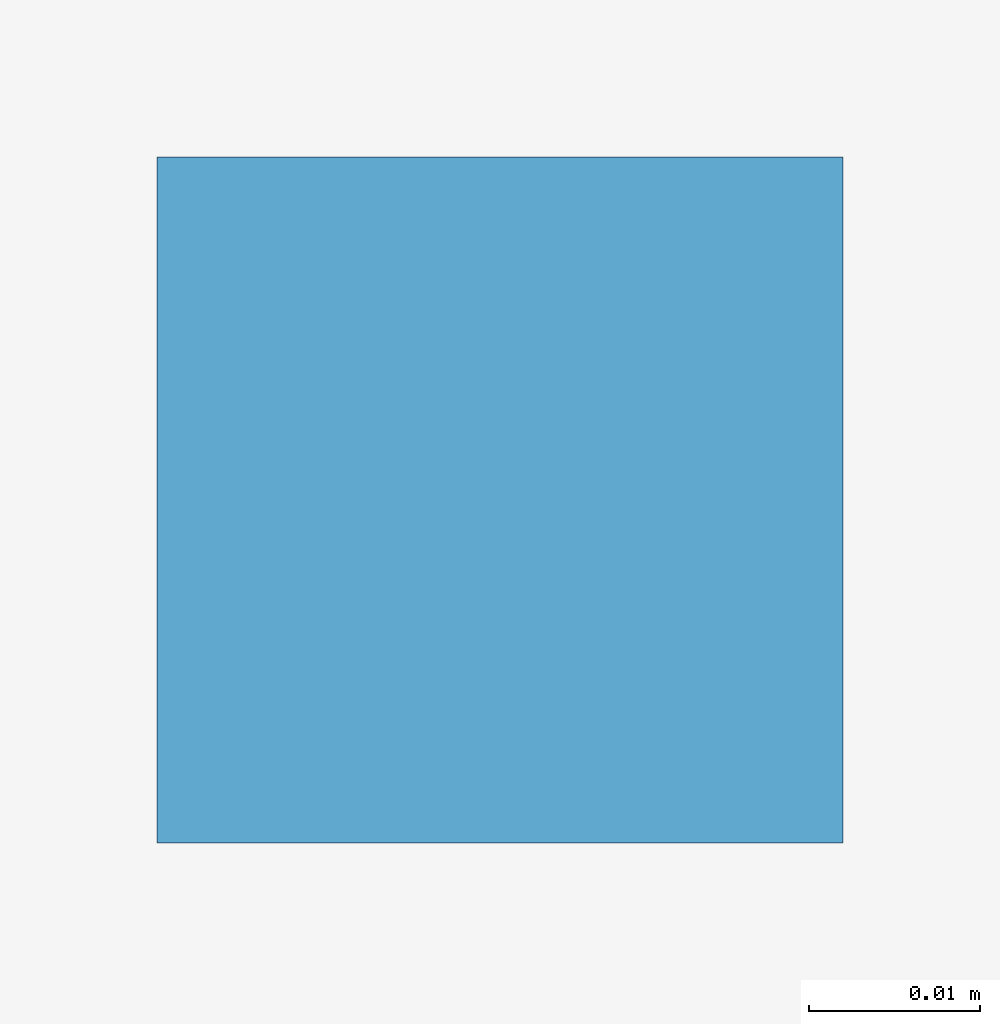
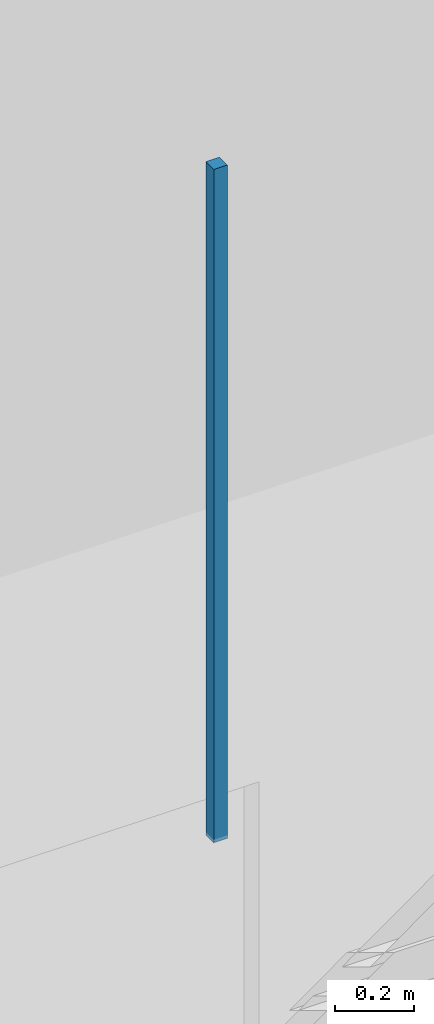
# One storey, part 130 of 167: 1 discrete accessory.
"""IFC4 building model written with IfcOpenShell, lengths in metres."""

from ifc_helpers import new_model, si_unit, direction, frame, origin, origin_2d, place, context, subcontext, project, spatial, rectangle, extrude, material, type_object, element, save


model = new_model("IFC4")

# Units and contexts
model_context = context("Model", 3, precision=1e-05, world=origin(), true_north=direction((0.0, 1.0)))
body_context = subcontext(model_context, "Body", "Model", "MODEL_VIEW")
ifc_project = project(units=[si_unit("LENGTHUNIT", "METRE"), si_unit("AREAUNIT", "SQUARE_METRE"), si_unit("VOLUMEUNIT", "CUBIC_METRE"), si_unit("PLANEANGLEUNIT", "RADIAN"), si_unit("MASSUNIT", "GRAM", prefix="KILO")], contexts=[model_context])

# Site, building, storey
site_placement = place(None, origin())
site = spatial("IfcSite", under=ifc_project, at=site_placement, CompositionType="ELEMENT")
building_placement = place(site_placement, origin())
building = spatial("IfcBuilding", under=site, at=building_placement, Name="Varncliffe General Hospital", CompositionType="ELEMENT")
storey_placement = place(building_placement, origin())
storey = spatial("IfcBuildingStorey", under=building, at=storey_placement, Name="L00", CompositionType="ELEMENT", Elevation=0.0)

# Discrete accessory
ifc_material = material(Name="Powder-coated hospital steel guardrail and handrail", Category="steel")
discrete_accessory_type = type_object("IfcDiscreteAccessoryType", Name="Suspended Ceiling Hanger Bracket CH01", PredefinedType="BRACKET", material=ifc_material)
discrete_accessory_placement = place(storey_placement, frame((129.5, 84.4423828125, 3.18994140625), z_axis=(0.0, 0.0, 1.0), x_axis=(1.0, 0.0, 0.0)))
element("IfcDiscreteAccessory", 1, at=discrete_accessory_placement, inside=storey, type_object=discrete_accessory_type, Name="L00 Suspended Ceiling Hanger 50", PredefinedType="BRACKET", context=body_context, shape_type="SweptSolid", body=[
    extrude(rectangle(XDim=0.0400390625, YDim=0.0400390625, at=origin_2d()), origin(), (0.0, 0.0, 1.0), 2.090087890625),
])

save(model, "model.ifc")
